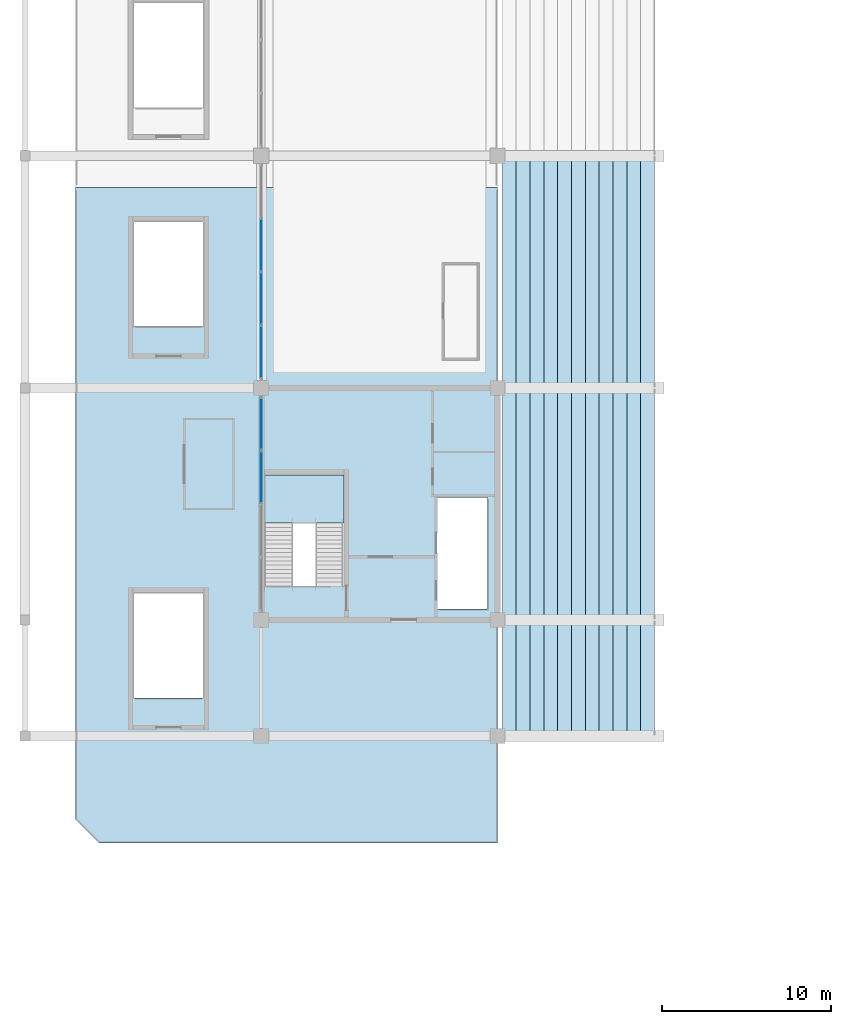
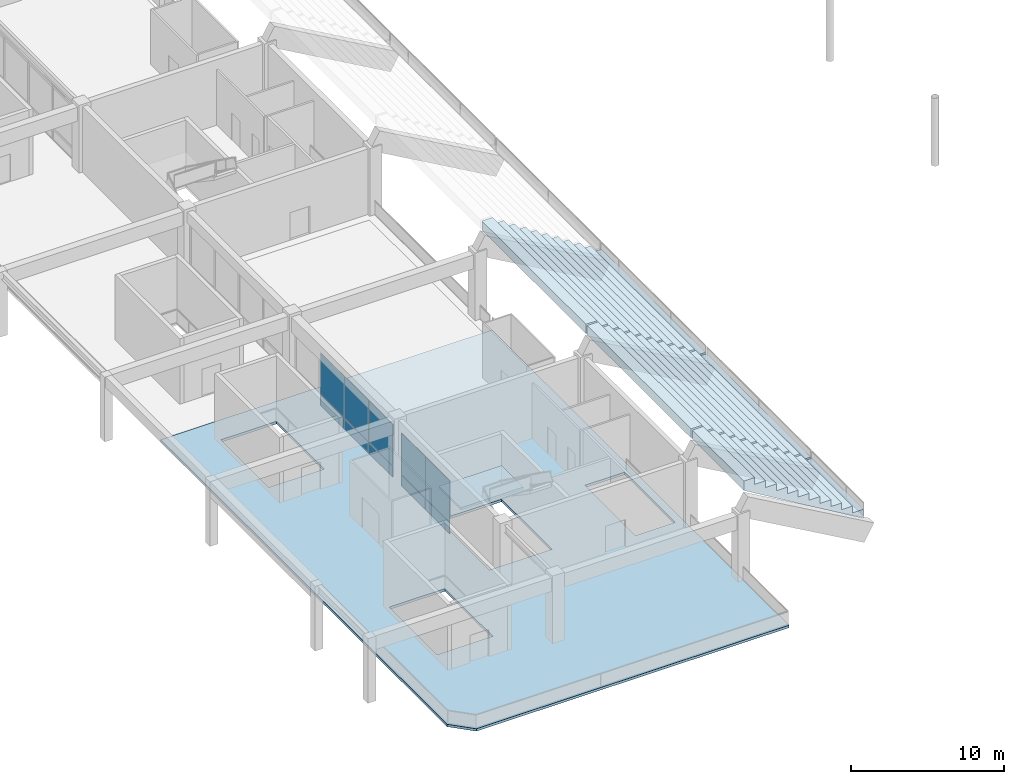
# One storey, part 57 of 90: 10 plates, 5 slabs, 3 elements without a shape of their own.
"""IFC4 building model written with IfcOpenShell, lengths in metres."""

from ifc_helpers import new_model, si_unit, direction, frame, origin, origin_2d, place, context, subcontext, project, spatial, polyline, rectangle, outline, extrude, material, layer, layer_set, type_object, element, aggregate, save


model = new_model("IFC4")

# Units and contexts
model_context = context("Model", 3, precision=1e-05, world=origin(), true_north=direction((0.0, 1.0)))
body_context = subcontext(model_context, "Body", "Model", "MODEL_VIEW")
ifc_project = project(units=[si_unit("LENGTHUNIT", "METRE"), si_unit("AREAUNIT", "SQUARE_METRE"), si_unit("VOLUMEUNIT", "CUBIC_METRE"), si_unit("PLANEANGLEUNIT", "RADIAN"), si_unit("MASSUNIT", "GRAM", prefix="KILO")], contexts=[model_context])

# Site, building, storey
site_placement = place(None, origin())
site = spatial("IfcSite", under=ifc_project, at=site_placement, CompositionType="ELEMENT")
building_placement = place(site_placement, origin())
building = spatial("IfcBuilding", under=site, at=building_placement, Name="Linyun Crest Stadium", CompositionType="ELEMENT")
storey_placement = place(building_placement, frame((0.0, 0.0, 21.0)))
storey = spatial("IfcBuildingStorey", under=building, at=storey_placement, Name="L05", CompositionType="ELEMENT", Elevation=21.0)

# Slab
ifc_material_1 = material(Name="Concrete C40", Category="concrete")
ifc_layer_1 = layer(ifc_material_1, 0.199951171875)
ifc_layer_set_1 = layer_set([ifc_layer_1], Name="Concrete C40")
slab_type_1 = type_object("IfcSlabType", Name="FS02", PredefinedType="FLOOR", material=ifc_layer_set_1)
slab_1_placement = place(storey_placement, frame((0.0, 0.0, -0.199951171875)))
element("IfcSlab", 1, at=slab_1_placement, inside=storey, type_object=slab_type_1, Name="Slab FS02 V1 L05 10", PredefinedType="FLOOR", context=body_context, shape_type="SweptSolid", body=[
    extrude(outline(polyline([(-93.60009765625, -52.3349609375), (-70.0, -52.3349609375), (-70.0, -13.510009765625), (-95.0, -13.510009765625), (-95.0, -50.93505859375), (-93.60009765625, -52.3349609375)]), holes=[polyline([(-83.824951171875, -37.10498046875), (-83.824951171875, -30.52490234375), (-79.10009765625, -30.52490234375), (-79.10009765625, -37.10498046875), (-83.824951171875, -37.10498046875)]), polyline([(-73.60009765625, -38.47509765625), (-73.60009765625, -31.875), (-70.60009765625, -31.875), (-70.60009765625, -38.47509765625), (-73.60009765625, -38.47509765625)]), polyline([(-91.60009765625, -43.75), (-91.60009765625, -37.5), (-87.39990234375, -37.5), (-87.39990234375, -43.75), (-91.60009765625, -43.75)]), polyline([(-91.60009765625, -21.75), (-91.60009765625, -15.5), (-87.39990234375, -15.5), (-87.39990234375, -21.75), (-91.60009765625, -21.75)])]), origin(), (0.0, 0.0, 1.0), 0.199951171875),
])

# Curtain wall, plates
ifc_material_2 = material(Name="Verdigris steel and low-E curtain wall assembly", Category="steel")
curtain_wall_type = type_object("IfcCurtainWallType", Name="MCW01", PredefinedType="NOTDEFINED", material=ifc_material_2)
curtain_wall_1_placement = place(storey_placement, origin())
curtain_wall_1 = element("IfcCurtainWall", 2, at=curtain_wall_1_placement, inside=storey, type_object=curtain_wall_type, Name="CWR-076", PredefinedType="NOTDEFINED")
ifc_material_3 = material(Name="Double silver low-E insulated glass", Category="glass")
ifc_layer_2 = layer(ifc_material_3, 0.02587890625)
ifc_layer_set_2 = layer_set([ifc_layer_2], Name="Double silver low-E insulated glass")
plate_type_1 = type_object("IfcPlateType", Name="GP01", PredefinedType="CURTAIN_PANEL", material=ifc_layer_set_2)
plate_1_placement = place(storey_placement, frame((-84.0, -30.6689453125, 0.9248046875), z_axis=(0.0, 0.0, 1.0), x_axis=(0.0, 1.0, 0.0)))
plate_1 = element("IfcPlate", 3, at=plate_1_placement, type_object=plate_type_1, Name="CWR-076 panel 3.2", PredefinedType="CURTAIN_PANEL", context=body_context, shape_type="SweptSolid", body=[
    extrude(rectangle(XDim=3.112548828125, YDim=0.02587890625, at=origin_2d()), origin(), (0.0, 0.0, 1.0), 3.300048828125),
])
plate_2_placement = place(storey_placement, frame((-84.0, -27.506103515625, 0.9248046875), z_axis=(0.0, 0.0, 1.0), x_axis=(0.0, 1.0, 0.0)))
plate_2 = element("IfcPlate", 4, at=plate_2_placement, type_object=plate_type_1, Name="CWR-076 panel 4.2", PredefinedType="CURTAIN_PANEL", context=body_context, shape_type="SweptSolid", body=[
    extrude(rectangle(XDim=3.112548828125, YDim=0.02587890625, at=origin_2d()), origin(), (0.0, 0.0, 1.0), 3.300048828125),
])

curtain_wall_2_placement = place(storey_placement, origin())
curtain_wall_2 = element("IfcCurtainWall", 5, at=curtain_wall_2_placement, inside=storey, type_object=curtain_wall_type, Name="CWR-085", PredefinedType="NOTDEFINED")
plate_3_placement = place(storey_placement, frame((-84.0, -23.243896484375, 0.9248046875), z_axis=(0.0, 0.0, 1.0), x_axis=(0.0, 1.0, 0.0)))
plate_3 = element("IfcPlate", 6, at=plate_3_placement, type_object=plate_type_1, Name="CWR-085 panel 1.2", PredefinedType="CURTAIN_PANEL", context=body_context, shape_type="SweptSolid", body=[
    extrude(rectangle(XDim=3.112548828125, YDim=0.02587890625, at=origin_2d()), origin(), (0.0, 0.0, 1.0), 3.300048828125),
])
plate_4_placement = place(storey_placement, frame((-84.0, -20.0810546875, 0.9248046875), z_axis=(0.0, 0.0, 1.0), x_axis=(0.0, 1.0, 0.0)))
plate_4 = element("IfcPlate", 7, at=plate_4_placement, type_object=plate_type_1, Name="CWR-085 panel 2.2", PredefinedType="CURTAIN_PANEL", context=body_context, shape_type="SweptSolid", body=[
    extrude(rectangle(XDim=3.112548828125, YDim=0.02587890625, at=origin_2d()), origin(), (0.0, 0.0, 1.0), 3.300048828125),
])
plate_5_placement = place(storey_placement, frame((-84.0, -16.9189453125, 0.9248046875), z_axis=(0.0, 0.0, 1.0), x_axis=(0.0, 1.0, 0.0)))
plate_5 = element("IfcPlate", 8, at=plate_5_placement, type_object=plate_type_1, Name="CWR-085 panel 3.2", PredefinedType="CURTAIN_PANEL", context=body_context, shape_type="SweptSolid", body=[
    extrude(rectangle(XDim=3.112548828125, YDim=0.02587890625, at=origin_2d()), origin(), (0.0, 0.0, 1.0), 3.300048828125),
])

# Stair, slab
ifc_material_4 = material(Name="Concrete C40", Category="concrete")
stair_type = type_object("IfcStairType", Name="STA02", PredefinedType="HALF_TURN_STAIR", material=ifc_material_4)
stair_placement = place(storey_placement, origin())
stair = element("IfcStair", 9, at=stair_placement, inside=storey, type_object=stair_type, Name="Evacuation stair STR-01-L05", PredefinedType="HALF_TURN_STAIR")
ifc_material_5 = material(Name="Concrete C40", Category="concrete")
ifc_layer_3 = layer(ifc_material_5, 0.179931640625)
ifc_layer_set_3 = layer_set([ifc_layer_3], Name="Concrete C40")
slab_type_2 = type_object("IfcSlabType", Name="LS01", PredefinedType="LANDING", material=ifc_layer_set_3)
slab_2_placement = place(storey_placement, frame((0.0, 0.0, 2.52001953125)))
slab_2 = element("IfcSlab", 10, at=slab_2_placement, type_object=slab_type_2, Name="STR-01-L05 half-landing", PredefinedType="LANDING", context=body_context, shape_type="SweptSolid", body=[
    extrude(outline(polyline([(-83.824951171875, -33.385009765625), (-79.10009765625, -33.385009765625), (-79.10009765625, -30.52490234375), (-83.824951171875, -30.52490234375), (-83.824951171875, -33.385009765625)])), origin(), (0.0, 0.0, 1.0), 0.179931640625),
])
aggregate(stair, [slab_2])

# Plate
ifc_material_6 = material(Name="Celadon glazed ceramic faience insulated spandrel")
ifc_layer_4 = layer(ifc_material_6, 0.0419921875)
ifc_layer_set_4 = layer_set([ifc_layer_4], Name="Celadon glazed ceramic faience insulated spandrel")
plate_type_2 = type_object("IfcPlateType", Name="SP01", PredefinedType="SHEET", material=ifc_layer_set_4)
plate_6_placement = place(storey_placement, frame((-84.0, -30.6689453125, 0.02490234375), z_axis=(0.0, 0.0, 1.0), x_axis=(0.0, 1.0, 0.0)))
plate_6 = element("IfcPlate", 11, at=plate_6_placement, type_object=plate_type_2, Name="CWR-076 panel 3.1", PredefinedType="SHEET", context=body_context, shape_type="SweptSolid", body=[
    extrude(rectangle(XDim=3.112548828125, YDim=0.0419921875, at=origin_2d()), origin(), (0.0, 0.0, 1.0), 0.85009765625),
])

plate_7_placement = place(storey_placement, frame((-84.0, -27.506103515625, 0.02490234375), z_axis=(0.0, 0.0, 1.0), x_axis=(0.0, 1.0, 0.0)))
plate_7 = element("IfcPlate", 12, at=plate_7_placement, type_object=plate_type_2, Name="CWR-076 panel 4.1", PredefinedType="SHEET", context=body_context, shape_type="SweptSolid", body=[
    extrude(rectangle(XDim=3.112548828125, YDim=0.0419921875, at=origin_2d()), origin(), (0.0, 0.0, 1.0), 0.85009765625),
])

aggregate(curtain_wall_1, [plate_6, plate_1, plate_7, plate_2])

plate_8_placement = place(storey_placement, frame((-84.0, -23.243896484375, 0.02490234375), z_axis=(0.0, 0.0, 1.0), x_axis=(0.0, 1.0, 0.0)))
plate_8 = element("IfcPlate", 13, at=plate_8_placement, type_object=plate_type_2, Name="CWR-085 panel 1.1", PredefinedType="SHEET", context=body_context, shape_type="SweptSolid", body=[
    extrude(rectangle(XDim=3.112548828125, YDim=0.0419921875, at=origin_2d()), origin(), (0.0, 0.0, 1.0), 0.85009765625),
])

plate_9_placement = place(storey_placement, frame((-84.0, -20.0810546875, 0.02490234375), z_axis=(0.0, 0.0, 1.0), x_axis=(0.0, 1.0, 0.0)))
plate_9 = element("IfcPlate", 14, at=plate_9_placement, type_object=plate_type_2, Name="CWR-085 panel 2.1", PredefinedType="SHEET", context=body_context, shape_type="SweptSolid", body=[
    extrude(rectangle(XDim=3.112548828125, YDim=0.0419921875, at=origin_2d()), origin(), (0.0, 0.0, 1.0), 0.85009765625),
])

plate_10_placement = place(storey_placement, frame((-84.0, -16.9189453125, 0.02490234375), z_axis=(0.0, 0.0, 1.0), x_axis=(0.0, 1.0, 0.0)))
plate_10 = element("IfcPlate", 15, at=plate_10_placement, type_object=plate_type_2, Name="CWR-085 panel 3.1", PredefinedType="SHEET", context=body_context, shape_type="SweptSolid", body=[
    extrude(rectangle(XDim=3.112548828125, YDim=0.0419921875, at=origin_2d()), origin(), (0.0, 0.0, 1.0), 0.85009765625),
])

aggregate(curtain_wall_2, [plate_8, plate_3, plate_9, plate_4, plate_10, plate_5])

# Slabs
ifc_material_7 = material(Name="Precast concrete C50", Category="concrete")
ifc_layer_5 = layer(ifc_material_7, 0.199951171875)
ifc_layer_set_5 = layer_set([ifc_layer_5], Name="Precast concrete C50")
slab_type_3 = type_object("IfcSlabType", Name="ST05", PredefinedType="USERDEFINED", material=ifc_layer_set_5)
slab_3_placement = place(storey_placement, frame((-60.699951171875, -45.919921875, 1.550048828125), z_axis=(0.0, 0.0, 1.0), x_axis=(-1.0, 0.0, 0.0)))
element("IfcSlab", 16, at=slab_3_placement, inside=storey, type_object=slab_type_3, Name="Precast seating tier ST05 V1 4", ObjectType="SEATING TIER", PredefinedType="USERDEFINED", context=body_context, shape_type="SweptSolid", body=[
    extrude(outline(polyline([(0.0, 0.0), (0.0, 0.5400390625), (0.820068359375, 0.5400390625), (0.820068359375, 1.080078125), (1.639892578125, 1.080078125), (1.639892578125, 1.6201171875), (2.4599609375, 1.6201171875), (2.4599609375, 2.159912109375), (3.280029296875, 2.159912109375), (3.280029296875, 2.699951171875), (4.10009765625, 2.699951171875), (4.10009765625, 3.239990234375), (4.919921875, 3.239990234375), (4.919921875, 3.780029296875), (5.739990234375, 3.780029296875), (5.739990234375, 4.320068359375), (6.56005859375, 4.320068359375), (6.56005859375, 4.860107421875), (7.3798828125, 4.860107421875), (7.3798828125, 5.39990234375), (8.199951171875, 5.39990234375), (8.199951171875, 5.93994140625), (9.02001953125, 5.93994140625), (9.02001953125, 5.199951171875), (0.0, -0.199951171875), (0.0, 0.0)])), frame((0.0, 0.0, 0.0), z_axis=(0.0, -1.0, 0.0), x_axis=(1.0, 0.0, 0.0)), (0.0, 0.0, 1.0), 6.71484375),
])
for number, where, z_axis, x_axis, name in (
    (17, (-60.699951171875, -39.044921875, 1.550048828125), (0.0, 0.0, 1.0), (-1.0, 0.0, 0.0), "Precast seating tier ST05 V1 12"),
    (18, (-60.699951171875, -25.294921875, 1.550048828125), (0.0, 0.0, 1.0), (-1.0, 0.0, 0.0), "Precast seating tier ST05 V1 20"),
):
    element("IfcSlab", number, at=place(storey_placement, frame(where, z_axis=z_axis, x_axis=x_axis)), inside=storey, type_object=slab_type_3, Name=name, ObjectType="SEATING TIER", PredefinedType="USERDEFINED", context=body_context, shape_type="SweptSolid", body=[
        extrude(outline(polyline([(0.0, 0.0), (0.0, 0.5400390625), (0.820068359375, 0.5400390625), (0.820068359375, 1.080078125), (1.639892578125, 1.080078125), (1.639892578125, 1.6201171875), (2.4599609375, 1.6201171875), (2.4599609375, 2.159912109375), (3.280029296875, 2.159912109375), (3.280029296875, 2.699951171875), (4.10009765625, 2.699951171875), (4.10009765625, 3.239990234375), (4.919921875, 3.239990234375), (4.919921875, 3.780029296875), (5.739990234375, 3.780029296875), (5.739990234375, 4.320068359375), (6.56005859375, 4.320068359375), (6.56005859375, 4.860107421875), (7.3798828125, 4.860107421875), (7.3798828125, 5.39990234375), (8.199951171875, 5.39990234375), (8.199951171875, 5.93994140625), (9.02001953125, 5.93994140625), (9.02001953125, 5.199951171875), (0.0, -0.199951171875), (0.0, 0.0)])), frame((0.0, 0.0, 0.0), z_axis=(0.0, -1.0, 0.0), x_axis=(1.0, 0.0, 0.0)), (0.0, 0.0, 1.0), 13.58984375),
    ])

save(model, "model.ifc")
